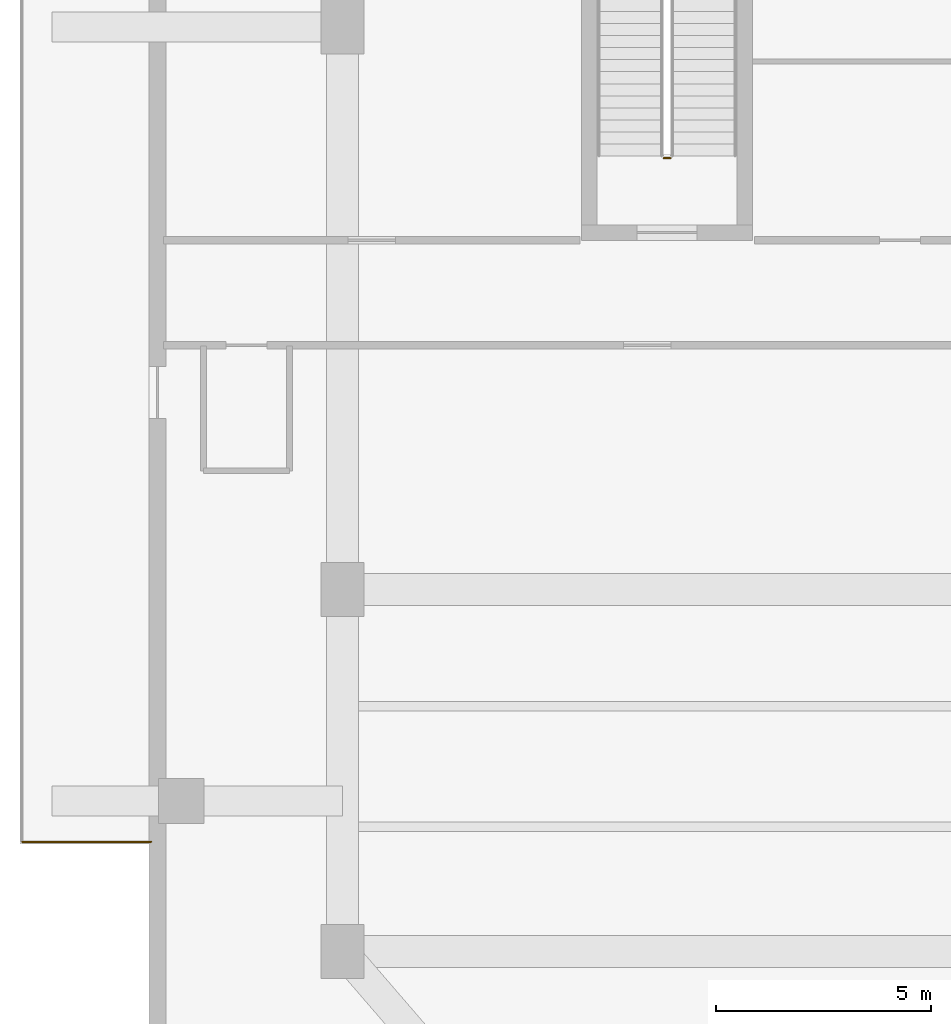
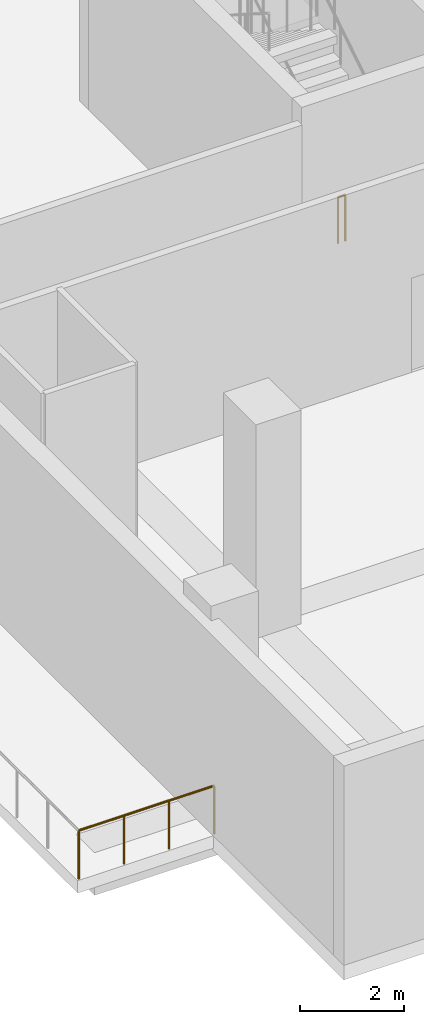
# One storey, part 10 of 14: 2 railings.
"""IFC4 building model written with IfcOpenShell, lengths in metres."""

from ifc_helpers import new_model, si_unit, direction, frame, origin, origin_2d, place, context, subcontext, project, spatial, circle, extrude, source, transform, mapped, material, type_object, element, save


model = new_model("IFC4")

# Units and contexts
model_context = context("Model", 3, precision=1e-05, world=origin(), true_north=direction((0.0, 1.0)))
body_context = subcontext(model_context, "Body", "Model", "MODEL_VIEW")
ifc_project = project(units=[si_unit("LENGTHUNIT", "METRE"), si_unit("AREAUNIT", "SQUARE_METRE"), si_unit("VOLUMEUNIT", "CUBIC_METRE"), si_unit("PLANEANGLEUNIT", "RADIAN"), si_unit("MASSUNIT", "GRAM", prefix="KILO"), si_unit("THERMODYNAMICTEMPERATUREUNIT", "KELVIN")], contexts=[model_context])

# Site, building, storey
site_placement = place(None, origin())
site = spatial("IfcSite", under=ifc_project, at=site_placement, CompositionType="ELEMENT")
building_placement = place(site_placement, origin())
building = spatial("IfcBuilding", under=site, at=building_placement, Name="Kosmvard Interchange Tower", CompositionType="ELEMENT")
storey_placement = place(building_placement, frame((0.0, 0.0, 16.0)))
storey = spatial("IfcBuildingStorey", under=building, at=storey_placement, Name="L03", CompositionType="ELEMENT", Elevation=16.0)

# Railings
ifc_material = material(Name="Steel S355", Category="steel")
railing_type_1 = type_object("IfcRailingType", Name="Observation & Balcony Glass-Infill Balustrade 1150", PredefinedType="BALUSTRADE", material=ifc_material)
shared_shape_1 = source(origin(), body_context, "Body", "SweptSolid", [
    extrude(circle(Radius=0.02392578125, at=origin_2d()), frame((0.0, 0.0, 1.1259765625), z_axis=(-1.0, 0.0, 0.0), x_axis=(0.0, -1.0, 0.0)), (0.0, 0.0, 1.0), 3.0),
    extrude(circle(Radius=0.02099609375, at=origin_2d()), origin(), (0.0, 0.0, 1.0), 1.101806640625),
    extrude(circle(Radius=0.02099609375, at=origin_2d()), frame((-1.0, 0.0, 0.0)), (0.0, 0.0, 1.0), 1.101806640625),
    extrude(circle(Radius=0.02099609375, at=origin_2d()), frame((-2.0, 0.0, 0.0)), (0.0, 0.0, 1.0), 1.101806640625),
    extrude(circle(Radius=0.02099609375, at=origin_2d()), frame((-3.0, 0.0, 0.0)), (0.0, 0.0, 1.0), 1.101806640625),
])
railing_1_placement = place(storey_placement, frame((-32.949951171875, -18.949951171875, 0.0)))
element("IfcRailing", 1, at=railing_1_placement, inside=storey, type_object=railing_type_1, Name="L03 Outdoor Terrace Guard TER-L03-W-A", PredefinedType="BALUSTRADE", context=body_context, shape_type="MappedRepresentation", body=[
    mapped(shared_shape_1, transform((0.0, 0.0, 0.0), scale=1.0)),
])
railing_type_2 = type_object("IfcRailingType", Name="Stair & Terrace Safety Guardrail 1100 Steel", PredefinedType="GUARDRAIL", material=ifc_material)
shared_shape_2 = source(origin(), body_context, "Body", "SweptSolid", [
    extrude(circle(Radius=0.02392578125, at=origin_2d()), frame((0.0, 0.0, 1.076171875), z_axis=(-1.0, 0.0, 0.0), x_axis=(0.0, -1.0, 0.0)), (0.0, 0.0, 1.0), 0.159912109375),
    extrude(circle(Radius=0.02099609375, at=origin_2d()), origin(), (0.0, 0.0, 1.0), 1.052001953125),
    extrude(circle(Radius=0.02099609375, at=origin_2d()), frame((-0.159912109375, 0.0, 0.0)), (0.0, 0.0, 1.0), 1.052001953125),
])
railing_2_placement = place(storey_placement, frame((-20.8701171875, -3.050048828125, 0.0)))
element("IfcRailing", 2, at=railing_2_placement, inside=storey, type_object=railing_type_2, Name="L03 ST-3 stair guard 4", PredefinedType="GUARDRAIL", context=body_context, shape_type="MappedRepresentation", body=[
    mapped(shared_shape_2, transform((0.0, 0.0, 0.0), scale=1.0)),
])

save(model, "model.ifc")
